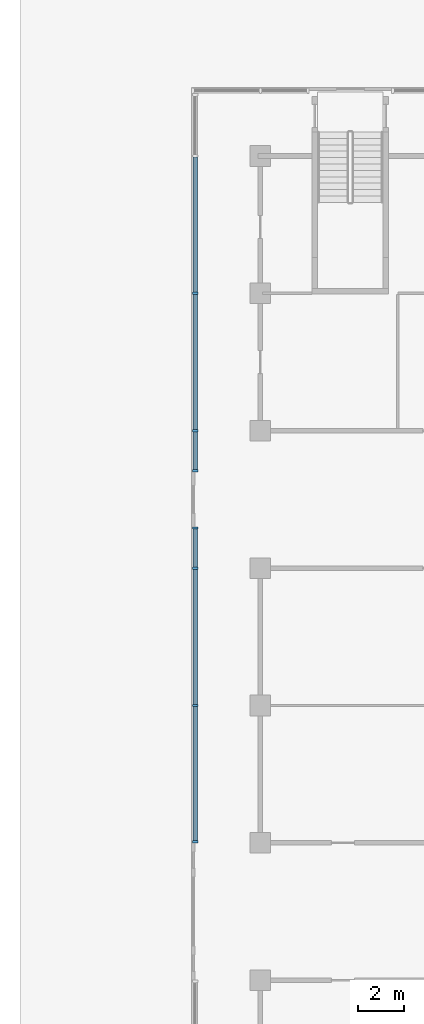
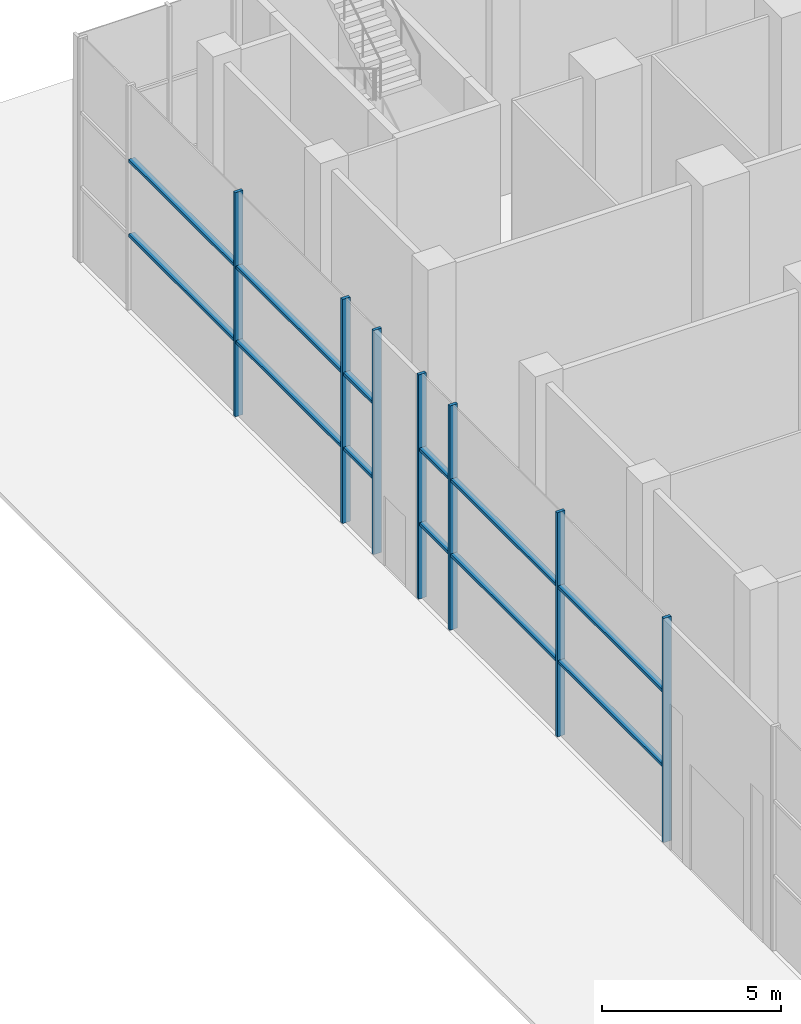
# One storey, part 4 of 29: 19 members, 2 elements without a shape of their own.
"""IFC4 building model written with IfcOpenShell, lengths in metres."""

from ifc_helpers import new_model, si_unit, direction, frame, origin, origin_2d, place, context, subcontext, project, spatial, rectangle, extrude, material, material_profile, profile_set, type_object, element, aggregate, save


model = new_model("IFC4")

# Units and contexts
model_context = context("Model", 3, precision=1e-05, world=origin(), true_north=direction((0.0, 1.0)))
body_context = subcontext(model_context, "Body", "Model", "MODEL_VIEW")
ifc_project = project(units=[si_unit("LENGTHUNIT", "METRE"), si_unit("AREAUNIT", "SQUARE_METRE"), si_unit("VOLUMEUNIT", "CUBIC_METRE"), si_unit("PLANEANGLEUNIT", "RADIAN"), si_unit("MASSUNIT", "GRAM", prefix="KILO")], contexts=[model_context])

# Site, building, storey
site_placement = place(None, origin())
site = spatial("IfcSite", under=ifc_project, at=site_placement, CompositionType="ELEMENT")
building_placement = place(site_placement, origin())
building = spatial("IfcBuilding", under=site, at=building_placement, Name="Finial Court Residences", CompositionType="ELEMENT")
storey_placement = place(building_placement, origin())
storey = spatial("IfcBuildingStorey", under=building, at=storey_placement, Name="L00", CompositionType="ELEMENT", Elevation=0.0)

# Curtain wall, members
ifc_material = material(Name="Bronze anodised aluminium", Category="aluminium")
curtain_wall_type = type_object("IfcCurtainWallType", Name="Podium shopfront", PredefinedType="NOTDEFINED", material=ifc_material)
curtain_wall_1_placement = place(storey_placement, origin())
curtain_wall_1 = element("IfcCurtainWall", 1, at=curtain_wall_1_placement, inside=storey, type_object=curtain_wall_type, Name="E-L00-CW-W29", PredefinedType="NOTDEFINED")
ifc_material_profile_1 = material_profile(ifc_material, rectangle(XDim=0.25, YDim=0.10009765625, at=origin_2d()), Name="CW4 mullion 100 x 250")
ifc_profile_set_1 = profile_set([ifc_material_profile_1], Name="Bronze anodised aluminium")
member_type_1 = type_object("IfcMemberType", Name="CW4 mullion 100 x 250", PredefinedType="MULLION", material=ifc_profile_set_1)
member_1_placement = place(storey_placement, frame((-34.35009765625, 1.550048828125, 0.0), z_axis=(0.0, 0.0, 1.0), x_axis=(-1.0, 0.0, 0.0)))
member_1 = element("IfcMember", 2, at=member_1_placement, type_object=member_type_1, Name="CW4 mullion 1", PredefinedType="MULLION", context=body_context, shape_type="SweptSolid", body=[
    extrude(rectangle(XDim=0.25, YDim=0.10009765625, at=origin_2d()), origin(), (0.0, 0.0, 1.0), 7.64990234375),
])
member_2_placement = place(storey_placement, frame((-34.35009765625, 7.5, 0.0), z_axis=(0.0, 0.0, 1.0), x_axis=(-1.0, 0.0, 0.0)))
member_2 = element("IfcMember", 3, at=member_2_placement, type_object=member_type_1, Name="CW4 mullion 2", PredefinedType="MULLION", context=body_context, shape_type="SweptSolid", body=[
    extrude(rectangle(XDim=0.25, YDim=0.10009765625, at=origin_2d()), origin(), (0.0, 0.0, 1.0), 7.64990234375),
])
member_3_placement = place(storey_placement, frame((-34.35009765625, 13.5, 0.0), z_axis=(0.0, 0.0, 1.0), x_axis=(-1.0, 0.0, 0.0)))
member_3 = element("IfcMember", 4, at=member_3_placement, type_object=member_type_1, Name="CW4 mullion 3", PredefinedType="MULLION", context=body_context, shape_type="SweptSolid", body=[
    extrude(rectangle(XDim=0.25, YDim=0.10009765625, at=origin_2d()), origin(), (0.0, 0.0, 1.0), 7.64990234375),
])
member_4_placement = place(storey_placement, frame((-34.35009765625, 15.25, 0.0), z_axis=(0.0, 0.0, 1.0), x_axis=(-1.0, 0.0, 0.0)))
member_4 = element("IfcMember", 5, at=member_4_placement, type_object=member_type_1, Name="CW4 mullion 4", PredefinedType="MULLION", context=body_context, shape_type="SweptSolid", body=[
    extrude(rectangle(XDim=0.25, YDim=0.10009765625, at=origin_2d()), origin(), (0.0, 0.0, 1.0), 7.64990234375),
])

curtain_wall_2_placement = place(storey_placement, origin())
curtain_wall_2 = element("IfcCurtainWall", 6, at=curtain_wall_2_placement, inside=storey, type_object=curtain_wall_type, Name="E-L00-CW-W30", PredefinedType="NOTDEFINED")
member_5_placement = place(storey_placement, frame((-34.35009765625, 17.75, 0.0), z_axis=(0.0, 0.0, 1.0), x_axis=(-1.0, 0.0, 0.0)))
member_5 = element("IfcMember", 7, at=member_5_placement, type_object=member_type_1, Name="CW4 mullion 1", PredefinedType="MULLION", context=body_context, shape_type="SweptSolid", body=[
    extrude(rectangle(XDim=0.25, YDim=0.10009765625, at=origin_2d()), origin(), (0.0, 0.0, 1.0), 7.64990234375),
])
member_6_placement = place(storey_placement, frame((-34.35009765625, 19.5, 0.0), z_axis=(0.0, 0.0, 1.0), x_axis=(-1.0, 0.0, 0.0)))
member_6 = element("IfcMember", 8, at=member_6_placement, type_object=member_type_1, Name="CW4 mullion 2", PredefinedType="MULLION", context=body_context, shape_type="SweptSolid", body=[
    extrude(rectangle(XDim=0.25, YDim=0.10009765625, at=origin_2d()), origin(), (0.0, 0.0, 1.0), 7.64990234375),
])
member_7_placement = place(storey_placement, frame((-34.35009765625, 25.5, 0.0), z_axis=(0.0, 0.0, 1.0), x_axis=(-1.0, 0.0, 0.0)))
member_7 = element("IfcMember", 9, at=member_7_placement, type_object=member_type_1, Name="CW4 mullion 3", PredefinedType="MULLION", context=body_context, shape_type="SweptSolid", body=[
    extrude(rectangle(XDim=0.25, YDim=0.10009765625, at=origin_2d()), origin(), (0.0, 0.0, 1.0), 7.64990234375),
])

# Member
ifc_material_profile_2 = material_profile(ifc_material, rectangle(XDim=0.199951171875, YDim=0.10009765625, at=origin_2d()), Name="CW4 transom 100 x 200")
ifc_profile_set_2 = profile_set([ifc_material_profile_2], Name="Bronze anodised aluminium")
member_type_2 = type_object("IfcMemberType", Name="CW4 transom 100 x 200", PredefinedType="USERDEFINED", material=ifc_profile_set_2)
member_8_placement = place(storey_placement, frame((-34.35009765625, 1.60009765625, 2.550048828125), z_axis=(0.0, 1.0, 0.0), x_axis=(-1.0, 0.0, 0.0)))
member_8 = element("IfcMember", 10, at=member_8_placement, type_object=member_type_2, Name="CW4 transom 1.1", ObjectType="TRANSOM", PredefinedType="USERDEFINED", context=body_context, shape_type="SweptSolid", body=[
    extrude(rectangle(XDim=0.199951171875, YDim=0.10009765625, at=origin_2d()), origin(), (0.0, 0.0, 1.0), 5.849853515625),
])

member_9_placement = place(storey_placement, frame((-34.35009765625, 1.60009765625, 5.10009765625), z_axis=(0.0, 1.0, 0.0), x_axis=(-1.0, 0.0, 0.0)))
member_9 = element("IfcMember", 11, at=member_9_placement, type_object=member_type_2, Name="CW4 transom 1.2", ObjectType="TRANSOM", PredefinedType="USERDEFINED", context=body_context, shape_type="SweptSolid", body=[
    extrude(rectangle(XDim=0.199951171875, YDim=0.10009765625, at=origin_2d()), origin(), (0.0, 0.0, 1.0), 5.849853515625),
])

member_10_placement = place(storey_placement, frame((-34.35009765625, 7.550048828125, 2.550048828125), z_axis=(0.0, 1.0, 0.0), x_axis=(-1.0, 0.0, 0.0)))
member_10 = element("IfcMember", 12, at=member_10_placement, type_object=member_type_2, Name="CW4 transom 2.1", ObjectType="TRANSOM", PredefinedType="USERDEFINED", context=body_context, shape_type="SweptSolid", body=[
    extrude(rectangle(XDim=0.199951171875, YDim=0.10009765625, at=origin_2d()), origin(), (0.0, 0.0, 1.0), 5.89990234375),
])

member_11_placement = place(storey_placement, frame((-34.35009765625, 7.550048828125, 5.10009765625), z_axis=(0.0, 1.0, 0.0), x_axis=(-1.0, 0.0, 0.0)))
member_11 = element("IfcMember", 13, at=member_11_placement, type_object=member_type_2, Name="CW4 transom 2.2", ObjectType="TRANSOM", PredefinedType="USERDEFINED", context=body_context, shape_type="SweptSolid", body=[
    extrude(rectangle(XDim=0.199951171875, YDim=0.10009765625, at=origin_2d()), origin(), (0.0, 0.0, 1.0), 5.89990234375),
])

member_12_placement = place(storey_placement, frame((-34.35009765625, 13.550048828125, 2.550048828125), z_axis=(0.0, 1.0, 0.0), x_axis=(-1.0, 0.0, 0.0)))
member_12 = element("IfcMember", 14, at=member_12_placement, type_object=member_type_2, Name="CW4 transom 3.1", ObjectType="TRANSOM", PredefinedType="USERDEFINED", context=body_context, shape_type="SweptSolid", body=[
    extrude(rectangle(XDim=0.199951171875, YDim=0.10009765625, at=origin_2d()), origin(), (0.0, 0.0, 1.0), 1.64990234375),
])

member_13_placement = place(storey_placement, frame((-34.35009765625, 13.550048828125, 5.10009765625), z_axis=(0.0, 1.0, 0.0), x_axis=(-1.0, 0.0, 0.0)))
member_13 = element("IfcMember", 15, at=member_13_placement, type_object=member_type_2, Name="CW4 transom 3.2", ObjectType="TRANSOM", PredefinedType="USERDEFINED", context=body_context, shape_type="SweptSolid", body=[
    extrude(rectangle(XDim=0.199951171875, YDim=0.10009765625, at=origin_2d()), origin(), (0.0, 0.0, 1.0), 1.64990234375),
])

aggregate(curtain_wall_1, [member_1, member_2, member_3, member_4, member_8, member_9, member_10, member_11, member_12, member_13])

member_14_placement = place(storey_placement, frame((-34.35009765625, 17.800048828125, 2.550048828125), z_axis=(0.0, 1.0, 0.0), x_axis=(-1.0, 0.0, 0.0)))
member_14 = element("IfcMember", 16, at=member_14_placement, type_object=member_type_2, Name="CW4 transom 1.1", ObjectType="TRANSOM", PredefinedType="USERDEFINED", context=body_context, shape_type="SweptSolid", body=[
    extrude(rectangle(XDim=0.199951171875, YDim=0.10009765625, at=origin_2d()), origin(), (0.0, 0.0, 1.0), 1.64990234375),
])

member_15_placement = place(storey_placement, frame((-34.35009765625, 17.800048828125, 5.10009765625), z_axis=(0.0, 1.0, 0.0), x_axis=(-1.0, 0.0, 0.0)))
member_15 = element("IfcMember", 17, at=member_15_placement, type_object=member_type_2, Name="CW4 transom 1.2", ObjectType="TRANSOM", PredefinedType="USERDEFINED", context=body_context, shape_type="SweptSolid", body=[
    extrude(rectangle(XDim=0.199951171875, YDim=0.10009765625, at=origin_2d()), origin(), (0.0, 0.0, 1.0), 1.64990234375),
])

member_16_placement = place(storey_placement, frame((-34.35009765625, 19.550048828125, 2.550048828125), z_axis=(0.0, 1.0, 0.0), x_axis=(-1.0, 0.0, 0.0)))
member_16 = element("IfcMember", 18, at=member_16_placement, type_object=member_type_2, Name="CW4 transom 2.1", ObjectType="TRANSOM", PredefinedType="USERDEFINED", context=body_context, shape_type="SweptSolid", body=[
    extrude(rectangle(XDim=0.199951171875, YDim=0.10009765625, at=origin_2d()), origin(), (0.0, 0.0, 1.0), 5.89990234375),
])

member_17_placement = place(storey_placement, frame((-34.35009765625, 19.550048828125, 5.10009765625), z_axis=(0.0, 1.0, 0.0), x_axis=(-1.0, 0.0, 0.0)))
member_17 = element("IfcMember", 19, at=member_17_placement, type_object=member_type_2, Name="CW4 transom 2.2", ObjectType="TRANSOM", PredefinedType="USERDEFINED", context=body_context, shape_type="SweptSolid", body=[
    extrude(rectangle(XDim=0.199951171875, YDim=0.10009765625, at=origin_2d()), origin(), (0.0, 0.0, 1.0), 5.89990234375),
])

member_18_placement = place(storey_placement, frame((-34.35009765625, 25.550048828125, 2.550048828125), z_axis=(0.0, 1.0, 0.0), x_axis=(-1.0, 0.0, 0.0)))
member_18 = element("IfcMember", 20, at=member_18_placement, type_object=member_type_2, Name="CW4 transom 3.1", ObjectType="TRANSOM", PredefinedType="USERDEFINED", context=body_context, shape_type="SweptSolid", body=[
    extrude(rectangle(XDim=0.199951171875, YDim=0.10009765625, at=origin_2d()), origin(), (0.0, 0.0, 1.0), 5.89990234375),
])

member_19_placement = place(storey_placement, frame((-34.35009765625, 25.550048828125, 5.10009765625), z_axis=(0.0, 1.0, 0.0), x_axis=(-1.0, 0.0, 0.0)))
member_19 = element("IfcMember", 21, at=member_19_placement, type_object=member_type_2, Name="CW4 transom 3.2", ObjectType="TRANSOM", PredefinedType="USERDEFINED", context=body_context, shape_type="SweptSolid", body=[
    extrude(rectangle(XDim=0.199951171875, YDim=0.10009765625, at=origin_2d()), origin(), (0.0, 0.0, 1.0), 5.89990234375),
])

aggregate(curtain_wall_2, [member_5, member_6, member_7, member_14, member_15, member_16, member_17, member_18, member_19])

save(model, "model.ifc")
